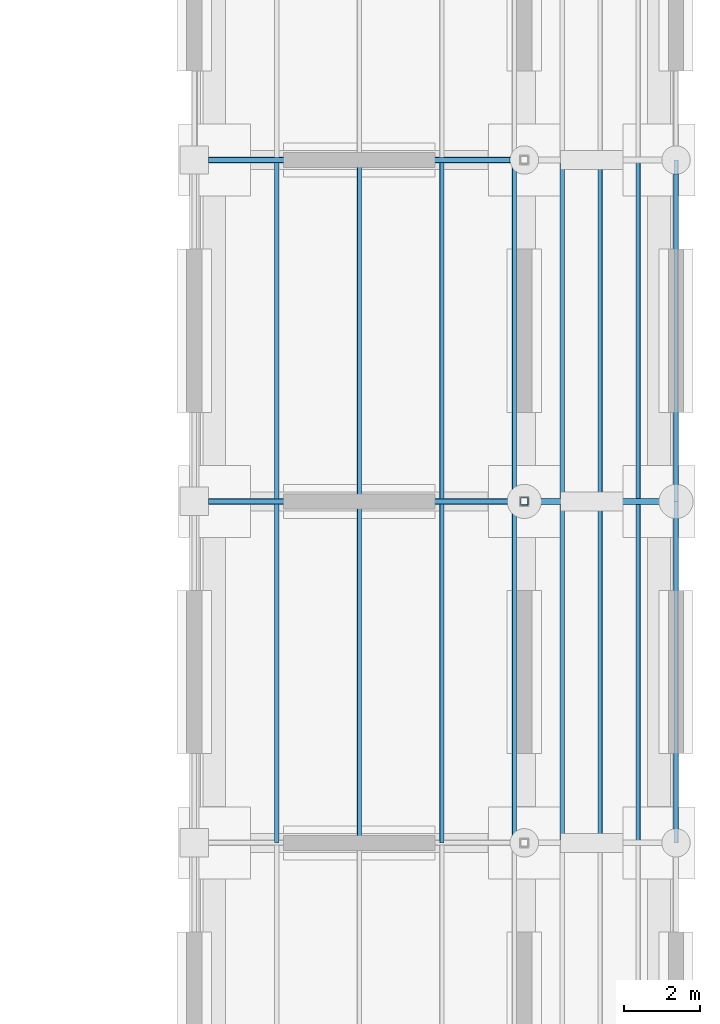
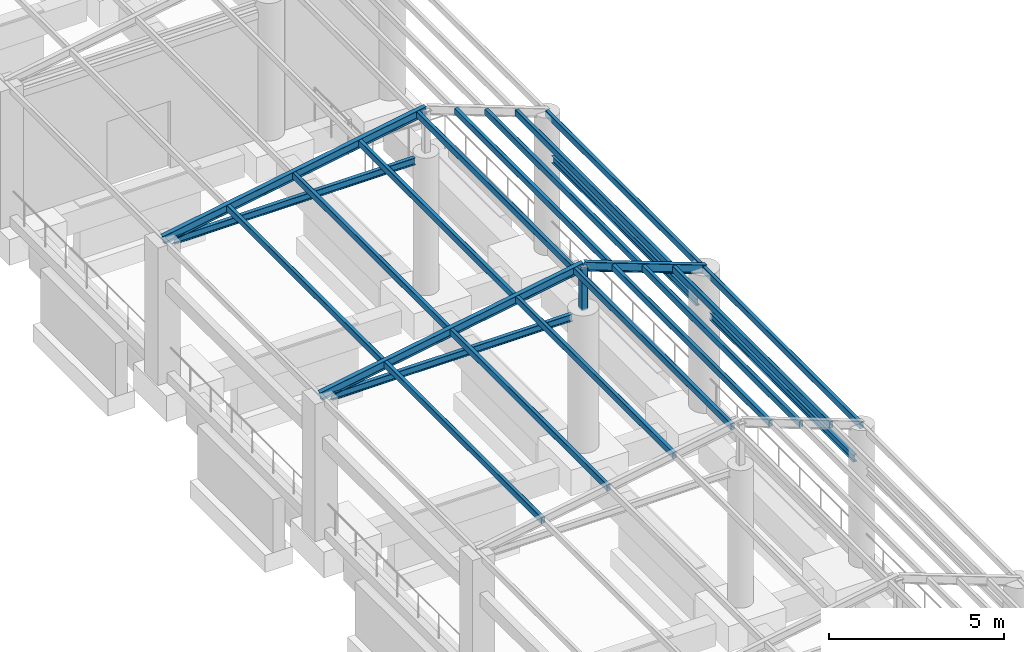
# One storey, part 63 of 111: 20 members, 4 beams.
"""IFC4 building model written with IfcOpenShell, lengths in metres."""

from ifc_helpers import new_model, si_unit, direction, frame, origin, origin_2d, place, context, subcontext, project, spatial, hollow_rectangle, i_section, extrude, material, material_profile, profile_set, type_object, element, save


model = new_model("IFC4")

# Units and contexts
model_context = context("Model", 3, precision=1e-05, world=origin(), true_north=direction((0.0, 1.0)))
body_context = subcontext(model_context, "Body", "Model", "MODEL_VIEW")
ifc_project = project(units=[si_unit("LENGTHUNIT", "METRE"), si_unit("AREAUNIT", "SQUARE_METRE"), si_unit("VOLUMEUNIT", "CUBIC_METRE"), si_unit("PLANEANGLEUNIT", "RADIAN"), si_unit("MASSUNIT", "GRAM", prefix="KILO")], contexts=[model_context])

# Site, building, storey
site_placement = place(None, origin())
site = spatial("IfcSite", under=ifc_project, at=site_placement, CompositionType="ELEMENT")
building_placement = place(site_placement, origin())
building = spatial("IfcBuilding", under=site, at=building_placement, Name="Canglan Escarpment Cableway Terminal", CompositionType="ELEMENT")
storey_placement = place(building_placement, frame((0.0, 0.0, 4.800048828125)))
storey = spatial("IfcBuildingStorey", under=building, at=storey_placement, Name="L01", CompositionType="ELEMENT", Elevation=4.800048828125)

# Beams
ifc_material = material(Name="Steel Q355B", Category="steel")
ifc_material_profile_1 = material_profile(ifc_material, i_section(OverallWidth=0.125, OverallDepth=0.25, WebThickness=0.006103515625, FlangeThickness=0.009033203125, FilletRadius=0.011962890625, at=origin_2d()), Name="HN 250x125x6x9")
ifc_profile_set_1 = profile_set([ifc_material_profile_1], Name="Steel Q355B")
beam_type_1 = type_object("IfcBeamType", Name="BM-CANOPY-HN250", PredefinedType="BEAM", material=ifc_profile_set_1)
for number, where, z_axis, x_axis, name in (
    (1, (167.675048828125, 79.0, 4.599853515625), (1.0, 0.0, 0.0), (0.0, 1.0, 0.0), "Colonnade tie beam RF-B3"),
    (2, (167.675048828125, 88.0, 4.599853515625), (1.0, 0.0, 0.0), (0.0, 1.0, 0.0), "Colonnade tie beam RF-B3"),
):
    element("IfcBeam", number, at=place(storey_placement, frame(where, z_axis=z_axis, x_axis=x_axis)), inside=storey, type_object=beam_type_1, Name=name, PredefinedType="BEAM", context=body_context, shape_type="SweptSolid", body=[
        extrude(i_section(OverallWidth=0.125, OverallDepth=0.25, WebThickness=0.006103515625, FlangeThickness=0.009033203125, FilletRadius=0.011962890625, at=origin_2d()), origin(), (0.0, 0.0, 1.0), 7.949951171875),
    ])
ifc_material_profile_2 = material_profile(ifc_material, i_section(OverallWidth=0.125, OverallDepth=0.25, WebThickness=0.006103515625, FlangeThickness=0.009033203125, FilletRadius=0.011962890625, at=origin_2d()), Name="HN 250x125x6x9")
ifc_profile_set_2 = profile_set([ifc_material_profile_2], Name="Steel Q355B")
beam_type_2 = type_object("IfcBeamType", Name="LN-HN250", PredefinedType="LINTEL", material=ifc_profile_set_2)
for number, where, z_axis, x_axis, name in (
    (3, (180.0, 70.3701171875, 3.349853515625), (0.0, 1.0, 0.0), (-1.0, 0.0, 0.0), "Classical colonnade architrave lintel beam"),
    (4, (180.0, 79.3701171875, 3.349853515625), (0.0, 1.0, 0.0), (-1.0, 0.0, 0.0), "Classical colonnade architrave lintel beam"),
):
    element("IfcBeam", number, at=place(storey_placement, frame(where, z_axis=z_axis, x_axis=x_axis)), inside=storey, type_object=beam_type_2, Name=name, PredefinedType="LINTEL", context=body_context, shape_type="SweptSolid", body=[
        extrude(i_section(OverallWidth=0.125, OverallDepth=0.25, WebThickness=0.006103515625, FlangeThickness=0.009033203125, FilletRadius=0.011962890625, at=origin_2d()), origin(), (0.0, 0.0, 1.0), 8.259765625),
    ])

# Members
ifc_material_profile_3 = material_profile(ifc_material, i_section(OverallWidth=0.14990234375, OverallDepth=0.300048828125, WebThickness=0.006591796875, FlangeThickness=0.009033203125, FilletRadius=0.012939453125, at=origin_2d()), Name="HN 300x150x6.5x9")
ifc_profile_set_3 = profile_set([ifc_material_profile_3], Name="Steel Q355B")
member_type_1 = type_object("IfcMemberType", Name="MB-COL-RAFT-HN300", PredefinedType="RAFTER", material=ifc_profile_set_3)
member_1_placement = place(storey_placement, frame((167.300048828125, 79.0, 4.75), z_axis=(0.985459956077, 0.0, 0.169907842574), x_axis=(0.0, 1.0, 0.0)))
element("IfcMember", 5, at=member_1_placement, inside=storey, type_object=member_type_1, Name="Colonnade pitched rafter RF-R01", PredefinedType="RAFTER", context=body_context, shape_type="SweptSolid", body=[
    extrude(i_section(OverallWidth=0.14990234375, OverallDepth=0.300048828125, WebThickness=0.006591796875, FlangeThickness=0.009033203125, FilletRadius=0.012939453125, at=origin_2d()), origin(), (0.0, 0.0, 1.0), 8.828369140625),
])
member_2_placement = place(storey_placement, frame((176.0, 79.0, 6.25), z_axis=(0.936329177569, 0.0, -0.351123441588), x_axis=(0.0, 1.0, 0.0)))
element("IfcMember", 6, at=member_2_placement, inside=storey, type_object=member_type_1, Name="Colonnade pitched rafter RF-R01", PredefinedType="RAFTER", context=body_context, shape_type="SweptSolid", body=[
    extrude(i_section(OverallWidth=0.14990234375, OverallDepth=0.300048828125, WebThickness=0.006591796875, FlangeThickness=0.009033203125, FilletRadius=0.012939453125, at=origin_2d()), origin(), (0.0, 0.0, 1.0), 4.27197265625),
])
member_3_placement = place(storey_placement, frame((167.300048828125, 88.0, 4.75), z_axis=(0.985459956077, 0.0, 0.169907842574), x_axis=(0.0, 1.0, 0.0)))
element("IfcMember", 7, at=member_3_placement, inside=storey, type_object=member_type_1, Name="Colonnade pitched rafter RF-R01", PredefinedType="RAFTER", context=body_context, shape_type="SweptSolid", body=[
    extrude(i_section(OverallWidth=0.14990234375, OverallDepth=0.300048828125, WebThickness=0.006591796875, FlangeThickness=0.009033203125, FilletRadius=0.012939453125, at=origin_2d()), origin(), (0.0, 0.0, 1.0), 8.828369140625),
])
ifc_material_profile_4 = material_profile(ifc_material, hollow_rectangle(XDim=0.1201171875, YDim=0.219970703125, WallThickness=0.006103515625, InnerFilletRadius=0.006103515625, OuterFilletRadius=0.011962890625, at=origin_2d()), Name="RHS 220x120x6")
ifc_profile_set_4 = profile_set([ifc_material_profile_4], Name="Steel Q355B")
member_type_2 = type_object("IfcMemberType", Name="MB-PAV-PUR-RHS220", PredefinedType="PURLIN", material=ifc_profile_set_4)
for number, where, z_axis, x_axis, name in (
    (8, (169.47509765625, 70.0, 5.094970703125), (0.0, 1.0, 0.0), (-1.0, 0.0, 0.0), "Colonnade canopy purlin PR-03"),
    (9, (169.47509765625, 79.0, 5.094970703125), (0.0, 1.0, 0.0), (-1.0, 0.0, 0.0), "Colonnade canopy purlin PR-03"),
    (10, (171.64990234375, 70.0, 5.469970703125), (0.0, 1.0, 0.0), (-1.0, 0.0, 0.0), "Colonnade canopy purlin PR-03"),
    (11, (171.64990234375, 79.0, 5.469970703125), (0.0, 1.0, 0.0), (-1.0, 0.0, 0.0), "Colonnade canopy purlin PR-03"),
    (12, (173.824951171875, 70.0, 5.844970703125), (0.0, 1.0, 0.0), (-1.0, 0.0, 0.0), "Colonnade canopy purlin PR-03"),
    (13, (173.824951171875, 79.0, 5.844970703125), (0.0, 1.0, 0.0), (-1.0, 0.0, 0.0), "Colonnade canopy purlin PR-03"),
    (14, (175.739013671875, 70.0, 6.175048828125), (0.0, 1.0, 0.0), (-1.0, 0.0, 0.0), "Colonnade canopy purlin PR-03"),
    (15, (175.739013671875, 79.0, 6.175048828125), (0.0, 1.0, 0.0), (-1.0, 0.0, 0.0), "Colonnade canopy purlin PR-03"),
    (16, (177.0, 70.0, 5.844970703125), (0.0, 1.0, 0.0), (-1.0, 0.0, 0.0), "Colonnade canopy purlin PR-03"),
    (17, (177.0, 79.0, 5.844970703125), (0.0, 1.0, 0.0), (-1.0, 0.0, 0.0), "Colonnade canopy purlin PR-03"),
    (18, (178.0, 70.0, 5.469970703125), (0.0, 1.0, 0.0), (-1.0, 0.0, 0.0), "Colonnade canopy purlin PR-03"),
    (19, (178.0, 79.0, 5.469970703125), (0.0, 1.0, 0.0), (-1.0, 0.0, 0.0), "Colonnade canopy purlin PR-03"),
    (20, (179.0, 70.0, 5.094970703125), (0.0, 1.0, 0.0), (-1.0, 0.0, 0.0), "Colonnade canopy purlin PR-03"),
    (21, (179.0, 79.0, 5.094970703125), (0.0, 1.0, 0.0), (-1.0, 0.0, 0.0), "Colonnade canopy purlin PR-03"),
    (22, (180.0, 70.0, 4.719970703125), (0.0, 1.0, 0.0), (-1.0, 0.0, 0.0), "Colonnade canopy purlin PR-03"),
    (23, (180.0, 79.0, 4.719970703125), (0.0, 1.0, 0.0), (-1.0, 0.0, 0.0), "Colonnade canopy purlin PR-03"),
):
    element("IfcMember", number, at=place(storey_placement, frame(where, z_axis=z_axis, x_axis=x_axis)), inside=storey, type_object=member_type_2, Name=name, PredefinedType="PURLIN", context=body_context, shape_type="SweptSolid", body=[
        extrude(hollow_rectangle(XDim=0.1201171875, YDim=0.219970703125, WallThickness=0.006103515625, InnerFilletRadius=0.006103515625, OuterFilletRadius=0.011962890625, at=origin_2d()), origin(), (0.0, 0.0, 1.0), 9.0),
    ])
ifc_material_profile_5 = material_profile(ifc_material, hollow_rectangle(XDim=0.199951171875, YDim=0.199951171875, WallThickness=0.008056640625, InnerFilletRadius=0.008056640625, OuterFilletRadius=0.01611328125, at=origin_2d()), Name="SHS 200x200x8")
ifc_profile_set_5 = profile_set([ifc_material_profile_5], Name="Steel Q355B")
member_type_3 = type_object("IfcMemberType", Name="MB-PRATT-WEB-SHS200", PredefinedType="BRACE", material=ifc_profile_set_5)
member_4_placement = place(storey_placement, frame((176.0, 79.0, 4.75), z_axis=(0.0, 0.0, 1.0), x_axis=(1.0, 0.0, 0.0)))
element("IfcMember", 24, at=member_4_placement, inside=storey, type_object=member_type_3, Name="Colonnade ridge ROOF TRUSS strut PT-WB1", PredefinedType="BRACE", context=body_context, shape_type="SweptSolid", body=[
    extrude(hollow_rectangle(XDim=0.199951171875, YDim=0.199951171875, WallThickness=0.008056640625, InnerFilletRadius=0.008056640625, OuterFilletRadius=0.01611328125, at=origin_2d()), origin(), (0.0, 0.0, 1.0), 1.5),
])

save(model, "model.ifc")
